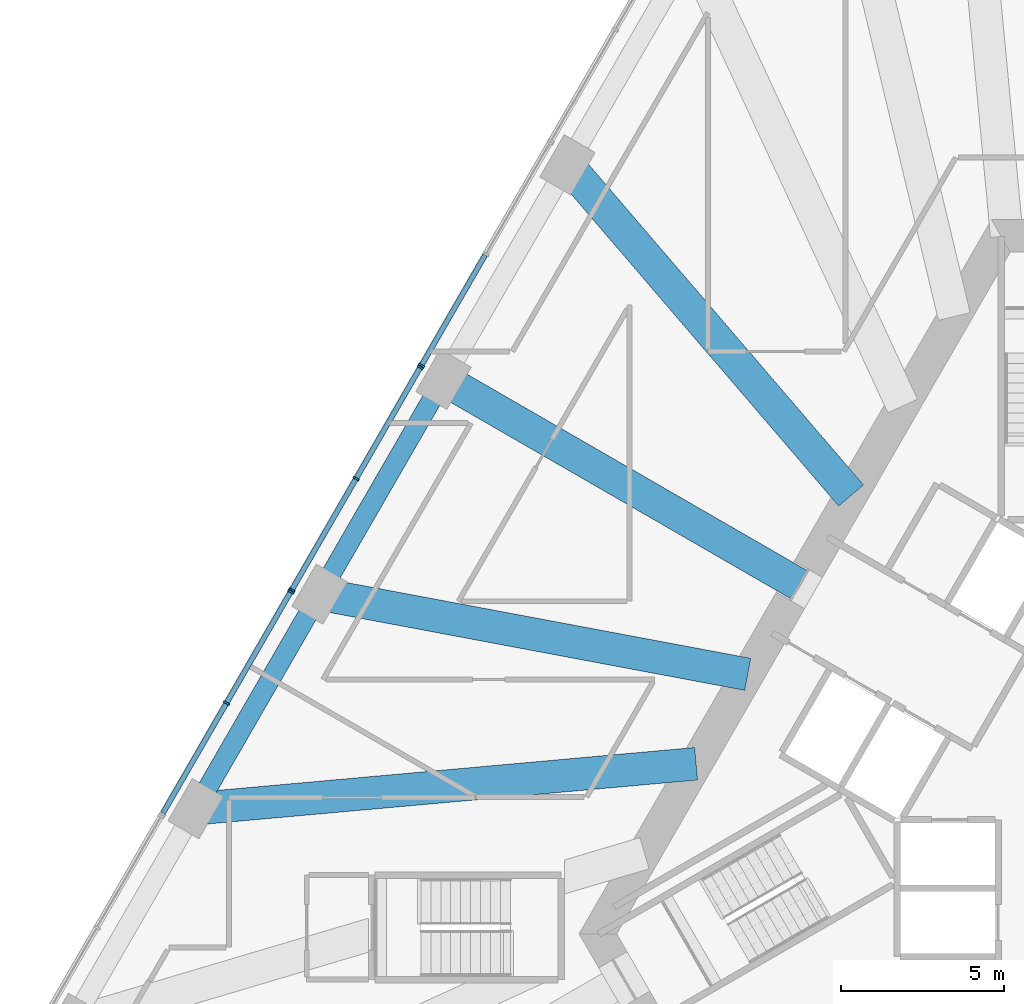
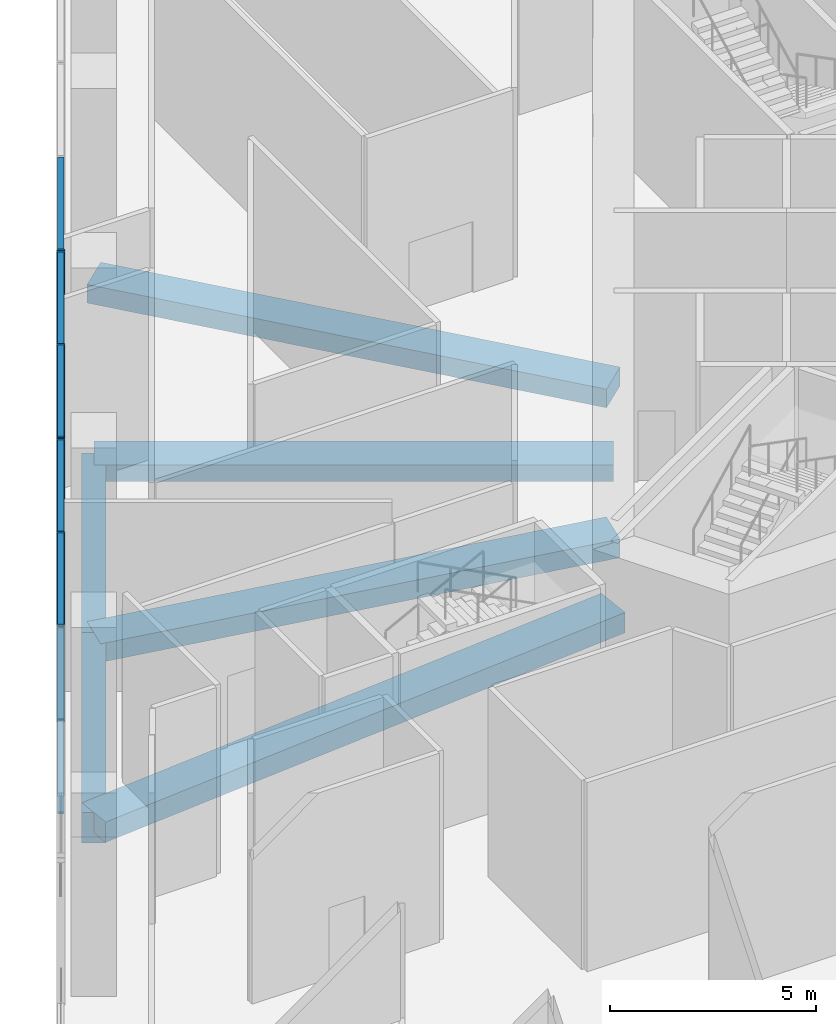
# One storey, part 10 of 36: 16 members, 6 beams, 3 elements without a shape of their own.
"""IFC4 building model written with IfcOpenShell, lengths in metres."""

from ifc_helpers import new_model, si_unit, direction, frame, origin, origin_2d, place, context, subcontext, project, spatial, rectangle, extrude, material, layer, layer_set, material_profile, profile_set, type_object, element, aggregate, save


model = new_model("IFC4")

# Units and contexts
model_context = context("Model", 3, precision=1e-05, world=origin(), true_north=direction((0.0, 1.0)))
body_context = subcontext(model_context, "Body", "Model", "MODEL_VIEW")
ifc_project = project(units=[si_unit("LENGTHUNIT", "METRE"), si_unit("AREAUNIT", "SQUARE_METRE"), si_unit("VOLUMEUNIT", "CUBIC_METRE"), si_unit("PLANEANGLEUNIT", "RADIAN"), si_unit("MASSUNIT", "GRAM", prefix="KILO")], contexts=[model_context])

# Site, building, storey
site_placement = place(None, origin())
site = spatial("IfcSite", under=ifc_project, at=site_placement, CompositionType="ELEMENT")
building_placement = place(site_placement, origin())
building = spatial("IfcBuilding", under=site, at=building_placement, Name="Triada Interchange Tower", CompositionType="ELEMENT")
storey_placement = place(building_placement, frame((0.0, 0.0, 8.5)))
storey = spatial("IfcBuildingStorey", under=building, at=storey_placement, Name="L01", CompositionType="ELEMENT", Elevation=8.5)

# Curtain wall, member
ifc_material_1 = material(Name="Aluminium framed glazing", Category="aluminium")
ifc_layer = layer(ifc_material_1, 0.199951171875)
ifc_layer_set = layer_set([ifc_layer], Name="Curtain wall Concourse glazed screen")
curtain_wall_type = type_object("IfcCurtainWallType", Name="Curtain wall Concourse glazed screen", PredefinedType="NOTDEFINED", material=ifc_layer_set)
curtain_wall_1_placement = place(storey_placement, origin())
curtain_wall_1 = element("IfcCurtainWall", 1, at=curtain_wall_1_placement, inside=storey, type_object=curtain_wall_type, Name="Concourse glazed screen CW030 L01", PredefinedType="NOTDEFINED")
ifc_material_2 = material(Name="Aluminium", Category="aluminium")
ifc_material_profile_1 = material_profile(ifc_material_2, rectangle(XDim=0.199951171875, YDim=0.06005859375, at=origin_2d()), Name="Aluminium mullion")
ifc_profile_set_1 = profile_set([ifc_material_profile_1], Name="Aluminium")
member_type_1 = type_object("IfcMemberType", Name="Mullion Concourse glazed screen 200x60", PredefinedType="MULLION", material=ifc_profile_set_1)
member_1_placement = place(storey_placement, frame((-19.381103515625, 11.22998046875, 0.0), z_axis=(0.0, 0.0, 1.0), x_axis=(0.866086968603, -0.499893351442, 0.0)))
member_1 = element("IfcMember", 2, at=member_1_placement, type_object=member_type_1, Name="CW030 mullion 3", PredefinedType="MULLION", context=body_context, shape_type="SweptSolid", body=[
    extrude(rectangle(XDim=0.199951171875, YDim=0.06005859375, at=origin_2d()), origin(), (0.0, 0.0, 1.0), 5.60009765625),
])

# Curtain wall, members
curtain_wall_2_placement = place(storey_placement, origin())
curtain_wall_2 = element("IfcCurtainWall", 3, at=curtain_wall_2_placement, inside=storey, type_object=curtain_wall_type, Name="Concourse glazed screen CW031 L01", PredefinedType="NOTDEFINED")
member_2_placement = place(storey_placement, frame((-19.4169921875, 11.169921875, 0.0), z_axis=(0.0, 0.0, 1.0), x_axis=(0.866086968603, -0.499893351442, 0.0)))
member_2 = element("IfcMember", 4, at=member_2_placement, type_object=member_type_1, Name="CW031 mullion 1", PredefinedType="MULLION", context=body_context, shape_type="SweptSolid", body=[
    extrude(rectangle(XDim=0.199951171875, YDim=0.06005859375, at=origin_2d()), origin(), (0.0, 0.0, 1.0), 5.60009765625),
])
member_3_placement = place(storey_placement, frame((-21.385498046875, 7.759521484375, 0.0), z_axis=(0.0, 0.0, 1.0), x_axis=(0.866086968603, -0.499893351442, 0.0)))
member_3 = element("IfcMember", 5, at=member_3_placement, type_object=member_type_1, Name="CW031 mullion 2", PredefinedType="MULLION", context=body_context, shape_type="SweptSolid", body=[
    extrude(rectangle(XDim=0.199951171875, YDim=0.06005859375, at=origin_2d()), origin(), (0.0, 0.0, 1.0), 5.60009765625),
])
member_4_placement = place(storey_placement, frame((-23.35400390625, 4.348876953125, 0.0), z_axis=(0.0, 0.0, 1.0), x_axis=(0.866086968603, -0.499893351442, 0.0)))
member_4 = element("IfcMember", 6, at=member_4_placement, type_object=member_type_1, Name="CW031 mullion 3", PredefinedType="MULLION", context=body_context, shape_type="SweptSolid", body=[
    extrude(rectangle(XDim=0.199951171875, YDim=0.06005859375, at=origin_2d()), origin(), (0.0, 0.0, 1.0), 5.60009765625),
])

curtain_wall_3_placement = place(storey_placement, origin())
curtain_wall_3 = element("IfcCurtainWall", 7, at=curtain_wall_3_placement, inside=storey, type_object=curtain_wall_type, Name="Concourse glazed screen CW032 L01", PredefinedType="NOTDEFINED")
member_5_placement = place(storey_placement, frame((-23.389892578125, 4.2880859375, 0.0), z_axis=(0.0, 0.0, 1.0), x_axis=(0.866055473648, -0.499947913852, 0.0)))
member_5 = element("IfcMember", 8, at=member_5_placement, type_object=member_type_1, Name="CW032 mullion 1", PredefinedType="MULLION", context=body_context, shape_type="SweptSolid", body=[
    extrude(rectangle(XDim=0.199951171875, YDim=0.06005859375, at=origin_2d()), origin(), (0.0, 0.0, 1.0), 5.60009765625),
])
member_6_placement = place(storey_placement, frame((-25.3583984375, 0.8779296875, 0.0), z_axis=(0.0, 0.0, 1.0), x_axis=(0.866055473648, -0.499947913852, 0.0)))
member_6 = element("IfcMember", 9, at=member_6_placement, type_object=member_type_1, Name="CW032 mullion 2", PredefinedType="MULLION", context=body_context, shape_type="SweptSolid", body=[
    extrude(rectangle(XDim=0.199951171875, YDim=0.06005859375, at=origin_2d()), origin(), (0.0, 0.0, 1.0), 5.60009765625),
])

# Beams
ifc_material_3 = material(Name="Concrete C50/60", Category="concrete")
ifc_material_profile_2 = material_profile(ifc_material_3, rectangle(XDim=1.0, YDim=0.5, at=origin_2d()), Name="RC 1000x500")
ifc_profile_set_2 = profile_set([ifc_material_profile_2], Name="Concrete C50/60")
beam_type_1 = type_object("IfcBeamType", Name="Radial band beam P RC 1000x500", PredefinedType="BEAM", material=ifc_profile_set_2)
beam_1_placement = place(storey_placement, frame((-18.7060546875, 10.800048828125, -0.64990234375), z_axis=(0.866027481415, -0.499996401421, 0.0), x_axis=(0.499996401421, 0.866027481415, 0.0)))
element("IfcBeam", 10, at=beam_1_placement, inside=storey, type_object=beam_type_1, Name="Radial band beam BP05 L01", PredefinedType="BEAM", context=body_context, shape_type="SweptSolid", body=[
    extrude(rectangle(XDim=1.0, YDim=0.5, at=origin_2d()), origin(), (0.0, 0.0, 1.0), 12.60009765625),
])
ifc_material_profile_3 = material_profile(ifc_material_3, rectangle(XDim=1.0, YDim=0.550048828125, at=origin_2d()), Name="RC 1000x550")
ifc_profile_set_3 = profile_set([ifc_material_profile_3], Name="Concrete C50/60")
beam_type_2 = type_object("IfcBeamType", Name="Radial band beam P RC 1000x550", PredefinedType="BEAM", material=ifc_profile_set_3)
for number, where, z_axis, x_axis, name in (
    (11, (-14.906005859375, 17.381103515625, -0.675048828125), (0.650979511823, -0.759095300464, 0.0), (0.759095300464, 0.650979511823, 0.0), "Radial band beam BP04 L01"),
    (12, (-22.506103515625, 4.218994140625, -0.675048828125), (0.982880256044, -0.184245494596, 0.0), (0.184245494596, 0.982880256044, 0.0), "Radial band beam BP06 L01"),
):
    element("IfcBeam", number, at=place(storey_placement, frame(where, z_axis=z_axis, x_axis=x_axis)), inside=storey, type_object=beam_type_2, Name=name, PredefinedType="BEAM", context=body_context, shape_type="SweptSolid", body=[
        extrude(rectangle(XDim=1.0, YDim=0.550048828125, at=origin_2d()), origin(), (0.0, 0.0, 1.0), 13.35693359375),
    ])
ifc_material_profile_4 = material_profile(ifc_material_3, rectangle(XDim=1.0, YDim=0.60009765625, at=origin_2d()), Name="RC 1000x600")
ifc_profile_set_4 = profile_set([ifc_material_profile_4], Name="Concrete C50/60")
beam_type_3 = type_object("IfcBeamType", Name="Radial band beam P RC 1000x600", PredefinedType="BEAM", material=ifc_profile_set_4)
beam_2_placement = place(storey_placement, frame((-26.305908203125, -2.362060546875, -0.699951171875), z_axis=(0.995991072831, 0.089452684934, 0.0), x_axis=(-0.089452684934, 0.995991072831, 0.0)))
element("IfcBeam", 13, at=beam_2_placement, inside=storey, type_object=beam_type_3, Name="Radial band beam BP07 L01", PredefinedType="BEAM", context=body_context, shape_type="SweptSolid", body=[
    extrude(rectangle(XDim=1.0, YDim=0.60009765625, at=origin_2d()), origin(), (0.0, 0.0, 1.0), 15.40673828125),
])
ifc_material_profile_5 = material_profile(ifc_material_3, rectangle(XDim=0.60009765625, YDim=0.89990234375, at=origin_2d()), Name="RC 600x900")
ifc_profile_set_5 = profile_set([ifc_material_profile_5], Name="Concrete C50/60")
beam_type_4 = type_object("IfcBeamType", Name="Spandrel beam P RC 600x900", PredefinedType="BEAM", material=ifc_profile_set_5)
for number, where, z_axis, x_axis, name in (
    (14, (-18.7060546875, 10.800048828125, -0.85009765625), (-0.500046891162, -0.865998329467, 0.0), (0.865998329467, -0.500046891162, 0.0), "Spandrel beam EP05 L01"),
    (15, (-22.506103515625, 4.218994140625, -0.85009765625), (-0.500022797313, -0.86601224135, 0.0), (0.86601224135, -0.500022797313, 0.0), "Spandrel beam EP06 L01"),
):
    element("IfcBeam", number, at=place(storey_placement, frame(where, z_axis=z_axis, x_axis=x_axis)), inside=storey, type_object=beam_type_4, Name=name, PredefinedType="BEAM", context=body_context, shape_type="SweptSolid", body=[
        extrude(rectangle(XDim=0.60009765625, YDim=0.89990234375, at=origin_2d()), origin(), (0.0, 0.0, 1.0), 7.599365234375),
    ])

# Member
ifc_material_profile_6 = material_profile(ifc_material_2, rectangle(XDim=0.159912109375, YDim=0.06005859375, at=origin_2d()), Name="Aluminium transom")
ifc_profile_set_6 = profile_set([ifc_material_profile_6], Name="Aluminium")
member_type_2 = type_object("IfcMemberType", Name="Transom Concourse glazed screen 160x60", PredefinedType="USERDEFINED", material=ifc_profile_set_6)
member_7_placement = place(storey_placement, frame((-17.427490234375, 14.614501953125, 0.030029296875), z_axis=(-0.499876867849, -0.866096482494, 0.0), x_axis=(0.866096482494, -0.499876867849, 0.0)))
member_7 = element("IfcMember", 16, at=member_7_placement, type_object=member_type_2, Name="CW030 transom 2.1", ObjectType="TRANSOM", PredefinedType="USERDEFINED", context=body_context, shape_type="SweptSolid", body=[
    extrude(rectangle(XDim=0.159912109375, YDim=0.06005859375, at=origin_2d()), origin(), (0.0, 0.0, 1.0), 3.8779296875),
])

member_8_placement = place(storey_placement, frame((-17.427490234375, 14.614501953125, 5.570068359375), z_axis=(-0.499876867849, -0.866096482494, 0.0), x_axis=(0.866096482494, -0.499876867849, 0.0)))
member_8 = element("IfcMember", 17, at=member_8_placement, type_object=member_type_2, Name="CW030 transom 2.2", ObjectType="TRANSOM", PredefinedType="USERDEFINED", context=body_context, shape_type="SweptSolid", body=[
    extrude(rectangle(XDim=0.159912109375, YDim=0.06005859375, at=origin_2d()), origin(), (0.0, 0.0, 1.0), 3.8779296875),
])

aggregate(curtain_wall_1, [member_1, member_7, member_8])

member_9_placement = place(storey_placement, frame((-19.431884765625, 11.14404296875, 0.030029296875), z_axis=(-0.499924090959, -0.866069225454, 0.0), x_axis=(0.866069225454, -0.499924090959, 0.0)))
member_9 = element("IfcMember", 18, at=member_9_placement, type_object=member_type_2, Name="CW031 transom 1.1", ObjectType="TRANSOM", PredefinedType="USERDEFINED", context=body_context, shape_type="SweptSolid", body=[
    extrude(rectangle(XDim=0.159912109375, YDim=0.06005859375, at=origin_2d()), origin(), (0.0, 0.0, 1.0), 3.8779296875),
])

member_10_placement = place(storey_placement, frame((-19.431884765625, 11.14404296875, 5.570068359375), z_axis=(-0.499924090959, -0.866069225454, 0.0), x_axis=(0.866069225454, -0.499924090959, 0.0)))
member_10 = element("IfcMember", 19, at=member_10_placement, type_object=member_type_2, Name="CW031 transom 1.2", ObjectType="TRANSOM", PredefinedType="USERDEFINED", context=body_context, shape_type="SweptSolid", body=[
    extrude(rectangle(XDim=0.159912109375, YDim=0.06005859375, at=origin_2d()), origin(), (0.0, 0.0, 1.0), 3.8779296875),
])

member_11_placement = place(storey_placement, frame((-21.400390625, 7.7333984375, 0.030029296875), z_axis=(-0.499951349668, -0.866053490245, 0.0), x_axis=(0.866053490245, -0.499951349668, 0.0)))
member_11 = element("IfcMember", 20, at=member_11_placement, type_object=member_type_2, Name="CW031 transom 2.1", ObjectType="TRANSOM", PredefinedType="USERDEFINED", context=body_context, shape_type="SweptSolid", body=[
    extrude(rectangle(XDim=0.159912109375, YDim=0.06005859375, at=origin_2d()), origin(), (0.0, 0.0, 1.0), 3.8779296875),
])

member_12_placement = place(storey_placement, frame((-21.400390625, 7.7333984375, 5.570068359375), z_axis=(-0.499951349668, -0.866053490245, 0.0), x_axis=(0.866053490245, -0.499951349668, 0.0)))
member_12 = element("IfcMember", 21, at=member_12_placement, type_object=member_type_2, Name="CW031 transom 2.2", ObjectType="TRANSOM", PredefinedType="USERDEFINED", context=body_context, shape_type="SweptSolid", body=[
    extrude(rectangle(XDim=0.159912109375, YDim=0.06005859375, at=origin_2d()), origin(), (0.0, 0.0, 1.0), 3.8779296875),
])

aggregate(curtain_wall_2, [member_2, member_3, member_4, member_9, member_10, member_11, member_12])

member_13_placement = place(storey_placement, frame((-23.405029296875, 4.261962890625, 0.030029296875), z_axis=(-0.499958648831, -0.866049276577, 0.0), x_axis=(0.866049276577, -0.499958648831, 0.0)))
member_13 = element("IfcMember", 22, at=member_13_placement, type_object=member_type_2, Name="CW032 transom 1.1", ObjectType="TRANSOM", PredefinedType="USERDEFINED", context=body_context, shape_type="SweptSolid", body=[
    extrude(rectangle(XDim=0.159912109375, YDim=0.06005859375, at=origin_2d()), origin(), (0.0, 0.0, 1.0), 3.877197265625),
])

member_14_placement = place(storey_placement, frame((-23.405029296875, 4.261962890625, 5.570068359375), z_axis=(-0.499958648831, -0.866049276577, 0.0), x_axis=(0.866049276577, -0.499958648831, 0.0)))
member_14 = element("IfcMember", 23, at=member_14_placement, type_object=member_type_2, Name="CW032 transom 1.2", ObjectType="TRANSOM", PredefinedType="USERDEFINED", context=body_context, shape_type="SweptSolid", body=[
    extrude(rectangle(XDim=0.159912109375, YDim=0.06005859375, at=origin_2d()), origin(), (0.0, 0.0, 1.0), 3.877197265625),
])

member_15_placement = place(storey_placement, frame((-25.37353515625, 0.85205078125, 0.030029296875), z_axis=(-0.499931386026, -0.866065014457, 0.0), x_axis=(0.866065014457, -0.499931386026, 0.0)))
member_15 = element("IfcMember", 24, at=member_15_placement, type_object=member_type_2, Name="CW032 transom 2.1", ObjectType="TRANSOM", PredefinedType="USERDEFINED", context=body_context, shape_type="SweptSolid", body=[
    extrude(rectangle(XDim=0.159912109375, YDim=0.06005859375, at=origin_2d()), origin(), (0.0, 0.0, 1.0), 3.87744140625),
])

member_16_placement = place(storey_placement, frame((-25.37353515625, 0.85205078125, 5.570068359375), z_axis=(-0.499931386026, -0.866065014457, 0.0), x_axis=(0.866065014457, -0.499931386026, 0.0)))
member_16 = element("IfcMember", 25, at=member_16_placement, type_object=member_type_2, Name="CW032 transom 2.2", ObjectType="TRANSOM", PredefinedType="USERDEFINED", context=body_context, shape_type="SweptSolid", body=[
    extrude(rectangle(XDim=0.159912109375, YDim=0.06005859375, at=origin_2d()), origin(), (0.0, 0.0, 1.0), 3.87744140625),
])

aggregate(curtain_wall_3, [member_5, member_6, member_13, member_14, member_15, member_16])

save(model, "model.ifc")
